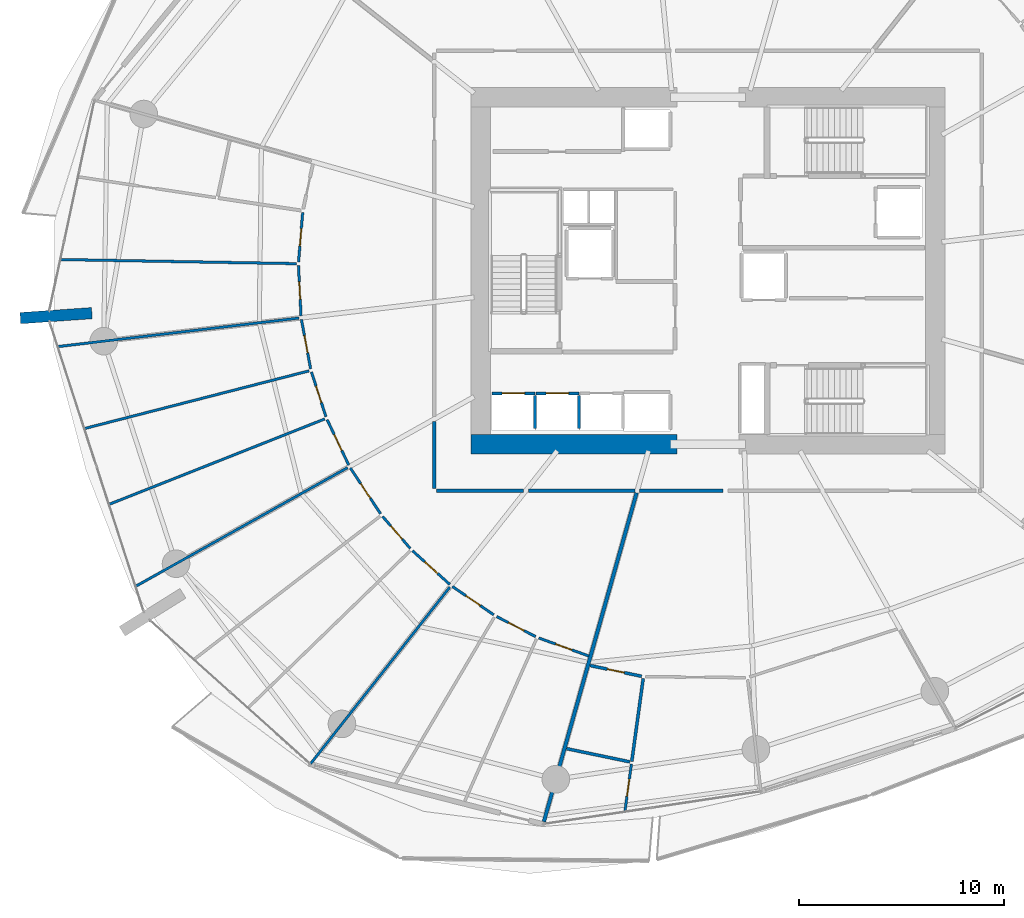
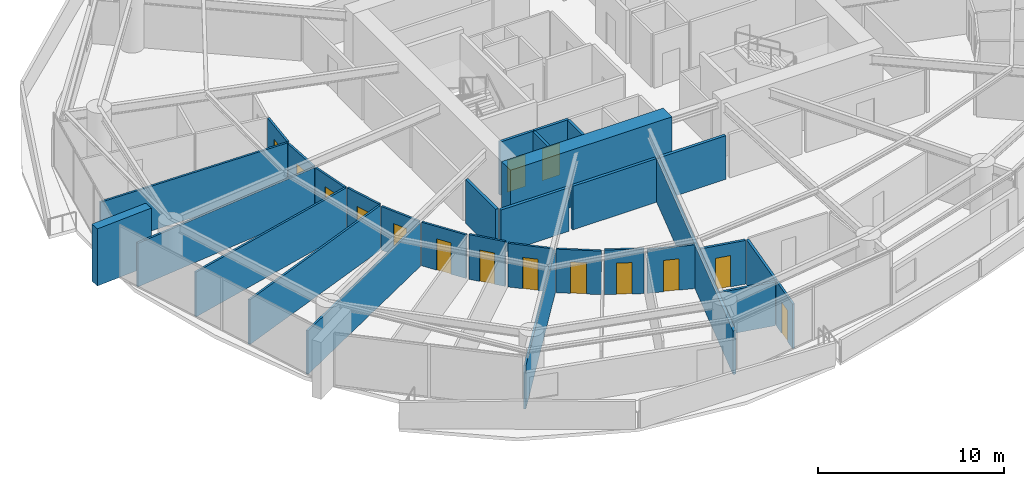
# One storey, part 18 of 30: 32 walls, 15 doors, 15 openings.
"""IFC4 building model written with IfcOpenShell, lengths in metres."""

import ifcopenshell
import ifcopenshell.guid

model = None  # the IFC model being written
_history = None  # IfcOwnerHistory: only IFC2X3 demands one
_inside = {}  # id of a spatial element -> (the spatial element, [elements in it])
_under = {}  # id of a project, library or spatial element -> (it, [spatial elements below it])
_declared = {}  # id of a project -> (the project, [libraries it declares])
_typed = {}  # id of a type object -> (the type object, [elements of that type])
_made_of = {}  # id of a material, layer set ... -> (it, [elements and type objects made of it])


def new_model(schema):
    """Start an empty IFC model of exactly this schema.

    Asked for "IFC4X3", IfcOpenShell would pick the latest addendum, in which some entities
    have other attributes; the version numbers below select the first issue.
    IFC2X3 requires an IfcOwnerHistory on every rooted entity: one is made here for all.
    """
    global model, _history
    if schema == "IFC4X3":
        model = ifcopenshell.file(schema_version=(4, 3, 0, 0))
    else:
        model = ifcopenshell.file(schema=schema)
    _inside.clear()
    _under.clear()
    _declared.clear()
    _typed.clear()
    _made_of.clear()
    _history = None
    if model.schema == "IFC2X3":
        org = make("IfcOrganization", Name="unknown")
        user = make(
            "IfcPersonAndOrganization",
            ThePerson=make("IfcPerson", FamilyName="unknown"),
            TheOrganization=org,
        )
        app = make(
            "IfcApplication",
            ApplicationDeveloper=org,
            Version="unknown",
            ApplicationFullName="unknown",
            ApplicationIdentifier="unknown",
        )
        _history = make(
            "IfcOwnerHistory",
            OwningUser=user,
            OwningApplication=app,
            ChangeAction="ADDED",
            CreationDate=0,
        )
    return model


def make(cls, **values):
    """One entity of the class cls with the attributes given. An attribute that is None is left unset."""
    return model.create_entity(
        cls, **{name: value for name, value in values.items() if value is not None}
    )


def rooted(cls, **values):
    """An entity with a GlobalId (a new one), such as an element, a storey or a relation."""
    return make(cls, GlobalId=ifcopenshell.guid.new(), OwnerHistory=_history, **values)


def si_unit(unit_type, name, prefix=None):
    """IfcSIUnit, for example si_unit("LENGTHUNIT", "METRE", prefix="MILLI")."""
    return make("IfcSIUnit", UnitType=unit_type, Prefix=prefix, Name=name)


def assignment(units):
    """IfcUnitAssignment: the units of a project."""
    return None if units is None else make("IfcUnitAssignment", Units=units)


def point(xyz):
    """IfcCartesianPoint."""
    return None if xyz is None else make("IfcCartesianPoint", Coordinates=xyz)


def direction(xyz):
    """IfcDirection."""
    return None if xyz is None else make("IfcDirection", DirectionRatios=xyz)


def frame(location, z_axis=None, x_axis=None):
    """IfcAxis2Placement3D, a coordinate frame: its origin and axes. An axis left out is left unset."""
    return make(
        "IfcAxis2Placement3D",
        Location=point(location),
        Axis=direction(z_axis),
        RefDirection=direction(x_axis),
    )


def frame_2d(location, x_axis=None):
    """IfcAxis2Placement2D, a coordinate frame in the plane: its origin and x axis."""
    return make(
        "IfcAxis2Placement2D", Location=point(location), RefDirection=direction(x_axis)
    )


def origin():
    """The frame at (0, 0, 0) with its axes left unset."""
    return frame((0.0, 0.0, 0.0))


def place(relative_to, where):
    """IfcLocalPlacement: puts the frame where relative to a parent placement (None: the world)."""
    return make(
        "IfcLocalPlacement", PlacementRelTo=relative_to, RelativePlacement=where
    )


def context(
    kind, dimensions, precision=None, world=None, true_north=None, identifier=None
):
    """IfcGeometricRepresentationContext, for example the 3D "Model" context."""
    return make(
        "IfcGeometricRepresentationContext",
        ContextIdentifier=identifier,
        ContextType=kind,
        CoordinateSpaceDimension=dimensions,
        Precision=precision,
        WorldCoordinateSystem=world,
        TrueNorth=true_north,
    )


def subcontext(parent, identifier, kind, view, scale=None):
    """IfcGeometricRepresentationSubContext, for example "Body" below "Model"."""
    return make(
        "IfcGeometricRepresentationSubContext",
        ContextIdentifier=identifier,
        ContextType=kind,
        ParentContext=parent,
        TargetScale=scale,
        TargetView=view,
    )


def project(units=None, contexts=None):
    """IfcProject with its units and contexts."""
    return rooted(
        "IfcProject",
        Name="project",
        RepresentationContexts=contexts,
        UnitsInContext=assignment(units),
    )


def spatial(cls, under=None, at=None, **own):
    """A site, building, storey or space (cls), placed at a placement, below another one or the project."""
    s = rooted(cls, ObjectPlacement=at, **own)
    if under is not None:
        _under.setdefault(under.id(), (under, []))[1].append(s)
    return s


def profile(cls, at=None, kind="AREA", **sizes):
    """A parametric profile (cls). Its sizes go by their IFC names, for example OverallWidth=200.0."""
    return make(cls, ProfileType=kind, Position=at, **sizes)


def rectangle(**sizes):
    """IfcRectangleProfileDef."""
    return profile("IfcRectangleProfileDef", **sizes)


def extrude(swept, where, along, depth):
    """IfcExtrudedAreaSolid: the profile swept, set in the frame where, extruded along a direction by depth."""
    return make(
        "IfcExtrudedAreaSolid",
        SweptArea=swept,
        Position=where,
        ExtrudedDirection=direction(along),
        Depth=depth,
    )


def shape(context_of_items, identifier, shape_type, items):
    """IfcShapeRepresentation: the items that make up one representation, for example the "Body"."""
    return make(
        "IfcShapeRepresentation",
        ContextOfItems=context_of_items,
        RepresentationIdentifier=identifier,
        RepresentationType=shape_type,
        Items=items,
    )


def material(Name=None, Category=None):
    """IfcMaterial."""
    return make("IfcMaterial", Name=Name, Category=Category)


def layer(
    of_material, thickness, ventilated=None, Name=None, Category=None, Priority=None
):
    """IfcMaterialLayer: one layer of a wall or slab, of a material (None: an air gap)."""
    return make(
        "IfcMaterialLayer",
        Material=of_material,
        LayerThickness=thickness,
        IsVentilated=ventilated,
        Name=Name,
        Category=Category,
        Priority=Priority,
    )


def layer_set(layers, Name=None):
    """IfcMaterialLayerSet."""
    return make("IfcMaterialLayerSet", MaterialLayers=layers, LayerSetName=Name)


def made_of(thing, what):
    """Note that an element or type object is made of a material, layer set ...; save() writes the relation."""
    if what is not None:
        _made_of.setdefault(what.id(), (what, []))[1].append(thing)
    return thing


def type_object(cls, material=None, **own):
    """A type object (cls), such as IfcWallType, which elements share."""
    return made_of(rooted(cls, **own), material)


def element(
    cls,
    number,
    at=None,
    inside=None,
    cuts=None,
    type_object=None,
    material=None,
    context=None,
    identifier="Body",
    shape_type=None,
    held_by="IfcProductDefinitionShape",
    body=None,
    shapes=None,
    **own,
):
    """One element of the class cls, such as IfcWall. Its Tag is "e" and its number.

    at: its placement. inside: the storey or other place that contains it. cuts: it is an
    opening in that element (IfcRelVoidsElement). A single representation is given by context,
    identifier, shape_type and body (its items); several are given by shapes. held_by: the class
    of the entity that holds the representations. save() writes the other relations.
    """
    e = rooted(cls, Tag="e%d" % number, ObjectPlacement=at, **own)
    if body is not None:
        shapes = [shape(context, identifier, shape_type, body)]
    if shapes is not None:
        e.Representation = make(held_by, Representations=shapes)
    if inside is not None:
        _inside.setdefault(inside.id(), (inside, []))[1].append(e)
    if cuts is not None:
        rooted(
            "IfcRelVoidsElement", RelatingBuildingElement=cuts, RelatedOpeningElement=e
        )
    if type_object is not None:
        _typed.setdefault(type_object.id(), (type_object, []))[1].append(e)
    return made_of(e, material)


def fill(opening, filler):
    """IfcRelFillsElement: the door or window that sits in an opening."""
    return rooted(
        "IfcRelFillsElement",
        RelatingOpeningElement=opening,
        RelatedBuildingElement=filler,
    )


def aggregate(whole, parts):
    """IfcRelAggregates: a whole, such as a stair, and the parts it consists of."""
    return rooted("IfcRelAggregates", RelatingObject=whole, RelatedObjects=parts)


def save(model, path):
    """Write the relations noted so far, then the file.

    IfcRelAggregates (storeys below a building ...), IfcRelContainedInSpatialStructure (elements
    in a storey), IfcRelDefinesByType, IfcRelAssociatesMaterial and IfcRelDeclares: one each for
    every whole, place, type object, material and project.
    """
    for whole, parts in _under.values():
        aggregate(whole, parts)
    for where, things in _inside.values():
        rooted(
            "IfcRelContainedInSpatialStructure",
            RelatedElements=things,
            RelatingStructure=where,
        )
    for kind, things in _typed.values():
        rooted("IfcRelDefinesByType", RelatedObjects=things, RelatingType=kind)
    for what, things in _made_of.values():
        rooted("IfcRelAssociatesMaterial", RelatedObjects=things, RelatingMaterial=what)
    for by, libraries in _declared.values():
        rooted("IfcRelDeclares", RelatingContext=by, RelatedDefinitions=libraries)
    model.write(path)


model = new_model("IFC4")

# Units and contexts
model_context = context("Model", 3, precision=1e-05, world=origin(), true_north=direction((0.0, 1.0)))
body_context = subcontext(model_context, "Body", "Model", "MODEL_VIEW")
ifc_project = project(units=[si_unit("LENGTHUNIT", "METRE"), si_unit("AREAUNIT", "SQUARE_METRE"), si_unit("VOLUMEUNIT", "CUBIC_METRE"), si_unit("PLANEANGLEUNIT", "RADIAN"), si_unit("MASSUNIT", "GRAM", prefix="KILO")], contexts=[model_context])

# Site, building, storey
site_placement = place(None, origin())
site = spatial("IfcSite", under=ifc_project, at=site_placement, CompositionType="ELEMENT")
building_placement = place(site_placement, origin())
building = spatial("IfcBuilding", under=site, at=building_placement, Name="Kazma Halo Residences", CompositionType="ELEMENT")
storey_placement = place(building_placement, frame((0.0, 0.0, 56.39990234375)))
storey = spatial("IfcBuildingStorey", under=building, at=storey_placement, Name="L13", CompositionType="ELEMENT", Elevation=56.39990234375)

# Walls
ifc_material_1 = material(Name="Pale Concrete C60/75", Category="concrete")
ifc_layer_1 = layer(ifc_material_1, 0.550048828125)
ifc_layer_set_1 = layer_set([ifc_layer_1], Name="Pale Concrete C60/75")
wall_type_1 = type_object("IfcWallType", Name="WL-BLADE-550", PredefinedType="SOLIDWALL", material=ifc_layer_set_1)
wall_1_placement = place(storey_placement, frame((18.322021484375, 39.9248046875, 0.0), z_axis=(0.0, 0.0, 1.0), x_axis=(-0.997564163539, -0.069754853754, 0.0)))
element("IfcWall", 1, at=wall_1_placement, inside=storey, type_object=wall_type_1, Name="L13 pale concrete structural blade fin wall BW-02", PredefinedType="SOLIDWALL", context=body_context, shape_type="SweptSolid", body=[
    extrude(rectangle(XDim=3.5, YDim=0.550048828125, at=frame_2d((1.75, 0.0))), origin(), (0.0, 0.0, 1.0), 3.75),
])
ifc_material_2 = material(Name="Concrete C80/95", Category="concrete")
ifc_layer_2 = layer(ifc_material_2, 0.949951171875)
ifc_layer_set_2 = layer_set([ifc_layer_2], Name="Concrete C80/95")
wall_type_2 = type_object("IfcWallType", Name="WL-CORE-950", PredefinedType="SHEAR", material=ifc_layer_set_2)
wall_2_placement = place(storey_placement, frame((36.85009765625, 33.52490234375, 0.0), z_axis=(0.0, 0.0, 1.0), x_axis=(1.0, 0.0, 0.0)))
element("IfcWall", 2, at=wall_2_placement, inside=storey, type_object=wall_type_2, Name="L13 central core shear wall SW", PredefinedType="SHEAR", context=body_context, shape_type="SweptSolid", body=[
    extrude(rectangle(XDim=10.0498046875, YDim=0.949951171875, at=frame_2d((5.02490234375, 0.0))), origin(), (0.0, 0.0, 1.0), 3.75),
])
ifc_material_3 = material(Name="Acoustic Twin-Stud Gypsum")
ifc_layer_3 = layer(ifc_material_3, 0.179931640625)
ifc_layer_set_3 = layer_set([ifc_layer_3], Name="Acoustic Twin-Stud Gypsum")
wall_type_3 = type_object("IfcWallType", Name="WL-DEM-180", PredefinedType="PARTITIONING", material=ifc_layer_set_3)
wall_3_placement = place(storey_placement, frame((44.938232421875, 31.14404296875, 0.0), z_axis=(0.0, 0.0, 1.0), x_axis=(-0.27143758514, -0.962456044385, 0.0)))
element("IfcWall", 3, at=wall_3_placement, inside=storey, type_object=wall_type_3, Name="L13 apartment demising radial wall 10", PredefinedType="PARTITIONING", context=body_context, shape_type="SweptSolid", body=[
    extrude(rectangle(XDim=16.692626953125, YDim=0.179931640625, at=frame_2d((8.34619140625, 0.0))), origin(), (0.0, 0.0, 1.0), 2.8671875),
])
wall_4_placement = place(storey_placement, frame((35.050048828125, 34.627685546875, 0.0), z_axis=(0.0, 0.0, 1.0), x_axis=(0.0, -1.0, 0.0)))
element("IfcWall", 4, at=wall_4_placement, inside=storey, type_object=wall_type_3, Name="L13 Apartment 2 inner wall 8", PredefinedType="PARTITIONING", context=body_context, shape_type="SweptSolid", body=[
    extrude(rectangle(XDim=3.257568359375, YDim=0.179931640625, at=frame_2d((1.62890625, 0.0))), origin(), (0.0, 0.0, 1.0), 2.8671875),
])
wall_5_placement = place(storey_placement, frame((35.169921875, 31.25, 0.0), z_axis=(0.0, 0.0, 1.0), x_axis=(1.0, 0.0, 0.0)))
element("IfcWall", 5, at=wall_5_placement, inside=storey, type_object=wall_type_3, Name="L13 Apartment 2 inner wall 8", PredefinedType="PARTITIONING", context=body_context, shape_type="SweptSolid", body=[
    extrude(rectangle(XDim=4.235595703125, YDim=0.179931640625, at=frame_2d((2.11767578125, 0.0))), origin(), (0.0, 0.0, 1.0), 2.8671875),
])
wall_6_placement = place(storey_placement, frame((39.6455078125, 31.25, 0.0), z_axis=(0.0, 0.0, 1.0), x_axis=(1.0, 0.0, 0.0)))
element("IfcWall", 6, at=wall_6_placement, inside=storey, type_object=wall_type_3, Name="L13 Apartment 2 inner wall 9", PredefinedType="PARTITIONING", context=body_context, shape_type="SweptSolid", body=[
    extrude(rectangle(XDim=5.20263671875, YDim=0.179931640625, at=frame_2d((2.601318359375, 0.0))), origin(), (0.0, 0.0, 1.0), 2.8671875),
])
wall_7_placement = place(storey_placement, frame((45.088134765625, 31.25, 0.0), z_axis=(0.0, 0.0, 1.0), x_axis=(1.0, 0.0, 0.0)))
element("IfcWall", 7, at=wall_7_placement, inside=storey, type_object=wall_type_3, Name="L13 Apartment 3 inner wall 10", PredefinedType="PARTITIONING", context=body_context, shape_type="SweptSolid", body=[
    extrude(rectangle(XDim=4.064208984375, YDim=0.179931640625, at=frame_2d((2.0322265625, 0.0))), origin(), (0.0, 0.0, 1.0), 2.8671875),
])

# Wall, opening, door
ifc_material_4 = material(Name="Fire-Rated Blockwork Masonry", Category="masonry")
ifc_layer_4 = layer(ifc_material_4, 0.199951171875)
ifc_layer_set_4 = layer_set([ifc_layer_4], Name="Fire-Rated Blockwork Masonry")
wall_type_4 = type_object("IfcWallType", Name="WL-FLB-200", PredefinedType="PARTITIONING", material=ifc_layer_set_4)
wall_8_placement = place(storey_placement, frame((37.864990234375, 36.0048828125, 0.0), z_axis=(0.0, 0.0, 1.0), x_axis=(1.0, 0.0, 0.0)))
wall_8 = element("IfcWall", 8, at=wall_8_placement, inside=storey, type_object=wall_type_4, Name="L13 lift shaft PL-01 front wall", PredefinedType="PARTITIONING", context=body_context, shape_type="SweptSolid", body=[
    extrude(rectangle(XDim=2.110107421875, YDim=0.159912109375, at=frame_2d((1.05517578125, 0.0))), origin(), (0.0, 0.0, 1.0), 3.5),
])
opening_1_placement = place(wall_8_placement, frame((0.5048828125, 0.0, 0.0)))
opening_1 = element("IfcOpeningElement", 9, at=opening_1_placement, cuts=wall_8, Name="Opening LD-PL-01", PredefinedType="OPENING", context=body_context, shape_type="SweptSolid", body=[
    extrude(rectangle(XDim=1.10009765625, YDim=2.10009765625, at=frame_2d((0.550048828125, 1.050048828125))), frame((0.0, 0.08984375, 0.0), z_axis=(0.0, -1.0, 0.0), x_axis=(1.0, 0.0, 0.0)), (0.0, 0.0, 1.0), 0.179931640625),
])
ifc_material_5 = material(Name="Stainless Steel Fire-Rated", Category="steel")
door_type_1 = type_object("IfcDoorType", Name="DR-LIFT-SLD-1100", OperationType="DOUBLE_DOOR_SLIDING", PredefinedType="DOOR", material=ifc_material_5)
door_1_placement = place(opening_1_placement, origin())
door_1 = element("IfcDoor", 10, at=door_1_placement, inside=storey, type_object=door_type_1, Name="L13 lift PL-01 sliding landing door", OperationType="DOUBLE_DOOR_SLIDING", OverallHeight=2.10009765625, OverallWidth=1.10009765625, PredefinedType="DOOR", context=body_context, shape_type="SweptSolid", body=[
    extrude(rectangle(XDim=1.10009765625, YDim=2.10009765625, at=frame_2d((0.550048828125, 1.050048828125))), frame((0.0, 0.02490234375, 0.0), z_axis=(0.0, -1.0, 0.0), x_axis=(1.0, 0.0, 0.0)), (0.0, 0.0, 1.0), 0.050048828125),
])
fill(opening_1, door_1)

# Wall
wall_9_placement = place(storey_placement, frame((39.97509765625, 34.294921875, 0.0), z_axis=(0.0, 0.0, 1.0), x_axis=(0.0, 1.0, 0.0)))
element("IfcWall", 11, at=wall_9_placement, inside=storey, type_object=wall_type_4, Name="L13 lift shaft PL-01 side wall E", PredefinedType="PARTITIONING", context=body_context, shape_type="SweptSolid", body=[
    extrude(rectangle(XDim=1.610107421875, YDim=0.159912109375, at=frame_2d((0.80517578125, 0.0))), origin(), (0.0, 0.0, 1.0), 3.5),
])

# Wall, opening, door
wall_10_placement = place(storey_placement, frame((40.014892578125, 36.0048828125, 0.0), z_axis=(0.0, 0.0, 1.0), x_axis=(1.0, 0.0, 0.0)))
wall_10 = element("IfcWall", 12, at=wall_10_placement, inside=storey, type_object=wall_type_4, Name="L13 lift shaft PL-02 front wall", PredefinedType="PARTITIONING", context=body_context, shape_type="SweptSolid", body=[
    extrude(rectangle(XDim=2.110107421875, YDim=0.159912109375, at=frame_2d((1.05517578125, 0.0))), origin(), (0.0, 0.0, 1.0), 3.5),
])
opening_2_placement = place(wall_10_placement, frame((0.5048828125, 0.0, 0.0)))
opening_2 = element("IfcOpeningElement", 13, at=opening_2_placement, cuts=wall_10, Name="Opening LD-PL-02", PredefinedType="OPENING", context=body_context, shape_type="SweptSolid", body=[
    extrude(rectangle(XDim=1.10009765625, YDim=2.10009765625, at=frame_2d((0.550048828125, 1.050048828125))), frame((0.0, 0.08984375, 0.0), z_axis=(0.0, -1.0, 0.0), x_axis=(1.0, 0.0, 0.0)), (0.0, 0.0, 1.0), 0.179931640625),
])
door_2_placement = place(opening_2_placement, origin())
door_2 = element("IfcDoor", 14, at=door_2_placement, inside=storey, type_object=door_type_1, Name="L13 lift PL-02 sliding landing door", OperationType="DOUBLE_DOOR_SLIDING", OverallHeight=2.10009765625, OverallWidth=1.10009765625, PredefinedType="DOOR", context=body_context, shape_type="SweptSolid", body=[
    extrude(rectangle(XDim=1.10009765625, YDim=2.10009765625, at=frame_2d((0.550048828125, 1.050048828125))), frame((0.0, 0.02490234375, 0.0), z_axis=(0.0, -1.0, 0.0), x_axis=(1.0, 0.0, 0.0)), (0.0, 0.0, 1.0), 0.050048828125),
])
fill(opening_2, door_2)

# Walls
wall_11_placement = place(storey_placement, frame((42.125, 34.294921875, 0.0), z_axis=(0.0, 0.0, 1.0), x_axis=(0.0, 1.0, 0.0)))
element("IfcWall", 15, at=wall_11_placement, inside=storey, type_object=wall_type_4, Name="L13 lift shaft PL-02 side wall E", PredefinedType="PARTITIONING", context=body_context, shape_type="SweptSolid", body=[
    extrude(rectangle(XDim=1.610107421875, YDim=0.159912109375, at=frame_2d((0.80517578125, 0.0))), origin(), (0.0, 0.0, 1.0), 3.5),
])
ifc_material_6 = material(Name="Gypsum Plasterboard Partition")
ifc_layer_5 = layer(ifc_material_6, 0.125)
ifc_layer_set_5 = layer_set([ifc_layer_5], Name="Gypsum Plasterboard Partition")
wall_type_5 = type_object("IfcWallType", Name="WL-PART-125", PredefinedType="PARTITIONING", material=ifc_layer_set_5)
wall_12_placement = place(storey_placement, frame((28.322998046875, 42.34326171875, 0.0), z_axis=(0.0, 0.0, 1.0), x_axis=(-0.999848157463, 0.017425900802, 0.0)))
element("IfcWall", 16, at=wall_12_placement, inside=storey, type_object=wall_type_5, Name="L13 Apartment 2 suite divider 6", PredefinedType="PARTITIONING", context=body_context, shape_type="SweptSolid", body=[
    extrude(rectangle(XDim=11.516357421875, YDim=0.125, at=frame_2d((5.75830078125, 0.0))), origin(), (0.0, 0.0, 1.0), 2.940185546875),
])

# Wall, opening, door
wall_13_placement = place(storey_placement, frame((28.62255859375, 44.837890625, 0.0), z_axis=(0.0, 0.0, 1.0), x_axis=(-0.083662019613, -0.996494187878, 0.0)))
wall_13 = element("IfcWall", 17, at=wall_13_placement, inside=storey, type_object=wall_type_5, Name="L13 Apartment 2 Gourmet Kitchen hall wall", PredefinedType="PARTITIONING", context=body_context, shape_type="SweptSolid", body=[
    extrude(rectangle(XDim=2.425048828125, YDim=0.125, at=frame_2d((1.21240234375, 0.0))), origin(), (0.0, 0.0, 1.0), 2.940185546875),
])
opening_3_placement = place(wall_13_placement, frame((0.78759765625, 0.0, 0.0)))
opening_3 = element("IfcOpeningElement", 18, at=opening_3_placement, cuts=wall_13, Name="Opening DB-900", PredefinedType="OPENING", context=body_context, shape_type="SweptSolid", body=[
    extrude(rectangle(XDim=0.85009765625, YDim=2.06005859375, at=frame_2d((0.425048828125, 1.030029296875))), frame((0.0, 0.072509765625, 0.0), z_axis=(0.0, -1.0, 0.0), x_axis=(1.0, 0.0, 0.0)), (0.0, 0.0, 1.0), 0.14501953125),
])
ifc_material_7 = material(Name="Moisture-Sealed Timber Leaf", Category="wood")
door_type_2 = type_object("IfcDoorType", Name="DR-BTH-900", OperationType="NOTDEFINED", PredefinedType="DOOR", material=ifc_material_7)
door_3_placement = place(opening_3_placement, origin())
door_3 = element("IfcDoor", 19, at=door_3_placement, inside=storey, type_object=door_type_2, Name="L13 Apartment 2 Gourmet Kitchen door", OperationType="SINGLE_SWING_RIGHT", OverallHeight=2.06005859375, OverallWidth=0.85009765625, PredefinedType="DOOR", context=body_context, shape_type="SweptSolid", body=[
    extrude(rectangle(XDim=0.85009765625, YDim=2.06005859375, at=frame_2d((0.425048828125, 1.030029296875))), frame((0.0, 0.02490234375, 0.0), z_axis=(0.0, -1.0, 0.0), x_axis=(1.0, 0.0, 0.0)), (0.0, 0.0, 1.0), 0.050048828125),
])
fill(opening_3, door_3)

wall_14_placement = place(storey_placement, frame((28.4169921875, 42.26171875, 0.0), z_axis=(0.0, 0.0, 1.0), x_axis=(0.050164619396, -0.998740962893, 0.0)))
wall_14 = element("IfcWall", 20, at=wall_14_placement, inside=storey, type_object=wall_type_5, Name="L13 Apartment 2 Master Bedroom hall wall", PredefinedType="PARTITIONING", context=body_context, shape_type="SweptSolid", body=[
    extrude(rectangle(XDim=2.467529296875, YDim=0.125, at=frame_2d((1.23388671875, 0.0))), origin(), (0.0, 0.0, 1.0), 2.8671875),
])
opening_4_placement = place(wall_14_placement, frame((0.808837890625, 0.0, 0.0)))
opening_4 = element("IfcOpeningElement", 21, at=opening_4_placement, cuts=wall_14, Name="Opening DB-900", PredefinedType="OPENING", context=body_context, shape_type="SweptSolid", body=[
    extrude(rectangle(XDim=0.85009765625, YDim=2.06005859375, at=frame_2d((0.425048828125, 1.030029296875))), frame((0.0, 0.072509765625, 0.0), z_axis=(0.0, -1.0, 0.0), x_axis=(1.0, 0.0, 0.0)), (0.0, 0.0, 1.0), 0.14501953125),
])
door_4_placement = place(opening_4_placement, origin())
door_4 = element("IfcDoor", 22, at=door_4_placement, inside=storey, type_object=door_type_2, Name="L13 Apartment 2 Master Bedroom door", OperationType="SINGLE_SWING_LEFT", OverallHeight=2.06005859375, OverallWidth=0.85009765625, PredefinedType="DOOR", context=body_context, shape_type="SweptSolid", body=[
    extrude(rectangle(XDim=0.85009765625, YDim=2.06005859375, at=frame_2d((0.425048828125, 1.030029296875))), frame((0.0, 0.02490234375, 0.0), z_axis=(0.0, -1.0, 0.0), x_axis=(1.0, 0.0, 0.0)), (0.0, 0.0, 1.0), 0.050048828125),
])
fill(opening_4, door_4)

# Walls
wall_15_placement = place(storey_placement, frame((28.446533203125, 39.685546875, 0.0), z_axis=(0.0, 0.0, 1.0), x_axis=(-0.993069352834, -0.117529827964, 0.0)))
element("IfcWall", 23, at=wall_15_placement, inside=storey, type_object=wall_type_5, Name="L13 Apartment 2 radial partition 7", PredefinedType="PARTITIONING", context=body_context, shape_type="SweptSolid", body=[
    extrude(rectangle(XDim=11.8486328125, YDim=0.125, at=frame_2d((5.92431640625, 0.0))), origin(), (0.0, 0.0, 1.0), 2.8671875),
])
for number, where, z_axis, x_axis, name in (
    (24, (28.938232421875, 37.105712890625, 0.0), (0.0, 0.0, 1.0), (-0.968583138893, -0.248689973767, 0.0), "L13 Apartment 2 bay wall 1 7"),
    (25, (29.701904296875, 34.75537109375, 0.0), (0.0, 0.0, 1.0), (-0.929773223041, -0.368132793591, 0.0), "L13 Apartment 2 bay wall 2 7"),
):
    element("IfcWall", number, at=place(storey_placement, frame(where, z_axis=z_axis, x_axis=x_axis)), inside=storey, type_object=wall_type_5, Name=name, PredefinedType="PARTITIONING", context=body_context, shape_type="SweptSolid", body=[
        extrude(rectangle(XDim=11.313232421875, YDim=0.125, at=frame_2d((5.65673828125, 0.0))), origin(), (0.0, 0.0, 1.0), 2.940185546875),
    ])

# Wall, opening, door
wall_16_placement = place(storey_placement, frame((28.560546875, 39.618896484375, 0.0), z_axis=(0.0, 0.0, 1.0), x_axis=(0.183471474028, -0.98302503438, 0.0)))
wall_16 = element("IfcWall", 26, at=wall_16_placement, inside=storey, type_object=wall_type_5, Name="L13 Apartment 2 Primary Master Bedroom hall wall", PredefinedType="PARTITIONING", context=body_context, shape_type="SweptSolid", body=[
    extrude(rectangle(XDim=2.453857421875, YDim=0.125, at=frame_2d((1.22705078125, 0.0))), origin(), (0.0, 0.0, 1.0), 2.8671875),
])
opening_5_placement = place(wall_16_placement, frame((0.8017578125, 0.0, 0.0)))
opening_5 = element("IfcOpeningElement", 27, at=opening_5_placement, cuts=wall_16, Name="Opening DB-900", PredefinedType="OPENING", context=body_context, shape_type="SweptSolid", body=[
    extrude(rectangle(XDim=0.85009765625, YDim=2.06005859375, at=frame_2d((0.425048828125, 1.030029296875))), frame((0.0, 0.072509765625, 0.0), z_axis=(0.0, -1.0, 0.0), x_axis=(1.0, 0.0, 0.0)), (0.0, 0.0, 1.0), 0.14501953125),
])
door_5_placement = place(opening_5_placement, origin())
door_5 = element("IfcDoor", 28, at=door_5_placement, inside=storey, type_object=door_type_2, Name="L13 Apartment 2 Primary Master Bedroom door", OperationType="SINGLE_SWING_RIGHT", OverallHeight=2.06005859375, OverallWidth=0.85009765625, PredefinedType="DOOR", context=body_context, shape_type="SweptSolid", body=[
    extrude(rectangle(XDim=0.85009765625, YDim=2.06005859375, at=frame_2d((0.425048828125, 1.030029296875))), frame((0.0, 0.02490234375, 0.0), z_axis=(0.0, -1.0, 0.0), x_axis=(1.0, 0.0, 0.0)), (0.0, 0.0, 1.0), 0.050048828125),
])
fill(opening_5, door_5)

wall_17_placement = place(storey_placement, frame((29.05029296875, 37.052001953125, 0.0), z_axis=(0.0, 0.0, 1.0), x_axis=(0.308990065628, -0.951065265554, 0.0)))
wall_17 = element("IfcWall", 29, at=wall_17_placement, inside=storey, type_object=wall_type_5, Name="L13 Apartment 2 Secondary Dressing Wardrobe hall wall", PredefinedType="PARTITIONING", context=body_context, shape_type="SweptSolid", body=[
    extrude(rectangle(XDim=2.300048828125, YDim=0.125, at=frame_2d((1.14990234375, 0.0))), origin(), (0.0, 0.0, 1.0), 2.940185546875),
])
opening_6_placement = place(wall_17_placement, frame((0.72509765625, 0.0, 0.0)))
opening_6 = element("IfcOpeningElement", 30, at=opening_6_placement, cuts=wall_17, Name="Opening DB-900", PredefinedType="OPENING", context=body_context, shape_type="SweptSolid", body=[
    extrude(rectangle(XDim=0.85009765625, YDim=2.06005859375, at=frame_2d((0.425048828125, 1.030029296875))), frame((0.0, 0.072509765625, 0.0), z_axis=(0.0, -1.0, 0.0), x_axis=(1.0, 0.0, 0.0)), (0.0, 0.0, 1.0), 0.14501953125),
])
door_6_placement = place(opening_6_placement, origin())
door_6 = element("IfcDoor", 31, at=door_6_placement, inside=storey, type_object=door_type_2, Name="L13 Apartment 2 Secondary Dressing Wardrobe door", OperationType="SINGLE_SWING_LEFT", OverallHeight=2.06005859375, OverallWidth=0.85009765625, PredefinedType="DOOR", context=body_context, shape_type="SweptSolid", body=[
    extrude(rectangle(XDim=0.85009765625, YDim=2.06005859375, at=frame_2d((0.425048828125, 1.030029296875))), frame((0.0, 0.02490234375, 0.0), z_axis=(0.0, -1.0, 0.0), x_axis=(1.0, 0.0, 0.0)), (0.0, 0.0, 1.0), 0.050048828125),
])
fill(opening_6, door_6)

wall_18_placement = place(storey_placement, frame((29.820068359375, 34.716064453125, 0.0), z_axis=(0.0, 0.0, 1.0), x_axis=(0.429373424985, -0.903127046388, 0.0)))
wall_18 = element("IfcWall", 32, at=wall_18_placement, inside=storey, type_object=wall_type_5, Name="L13 Apartment 2 East Master Bedroom hall wall", PredefinedType="PARTITIONING", context=body_context, shape_type="SweptSolid", body=[
    extrude(rectangle(XDim=2.45361328125, YDim=0.125, at=frame_2d((1.226806640625, 0.0))), origin(), (0.0, 0.0, 1.0), 2.8671875),
])
opening_7_placement = place(wall_18_placement, frame((0.8017578125, 0.0, 0.0)))
opening_7 = element("IfcOpeningElement", 33, at=opening_7_placement, cuts=wall_18, Name="Opening DB-900", PredefinedType="OPENING", context=body_context, shape_type="SweptSolid", body=[
    extrude(rectangle(XDim=0.85009765625, YDim=2.06005859375, at=frame_2d((0.425048828125, 1.030029296875))), frame((0.0, 0.072509765625, 0.0), z_axis=(0.0, -1.0, 0.0), x_axis=(1.0, 0.0, 0.0)), (0.0, 0.0, 1.0), 0.14501953125),
])
door_7_placement = place(opening_7_placement, origin())
door_7 = element("IfcDoor", 34, at=door_7_placement, inside=storey, type_object=door_type_2, Name="L13 Apartment 2 East Master Bedroom door", OperationType="SINGLE_SWING_RIGHT", OverallHeight=2.06005859375, OverallWidth=0.85009765625, PredefinedType="DOOR", context=body_context, shape_type="SweptSolid", body=[
    extrude(rectangle(XDim=0.85009765625, YDim=2.06005859375, at=frame_2d((0.425048828125, 1.030029296875))), frame((0.0, 0.02490234375, 0.0), z_axis=(0.0, -1.0, 0.0), x_axis=(1.0, 0.0, 0.0)), (0.0, 0.0, 1.0), 0.050048828125),
])
fill(opening_7, door_7)

# Wall
wall_19_placement = place(storey_placement, frame((30.820556640625, 32.37890625, 0.0), z_axis=(0.0, 0.0, 1.0), x_axis=(-0.872502853637, -0.488609015877, 0.0)))
element("IfcWall", 35, at=wall_19_placement, inside=storey, type_object=wall_type_5, Name="L13 Apartment 2 radial partition 8", PredefinedType="PARTITIONING", context=body_context, shape_type="SweptSolid", body=[
    extrude(rectangle(XDim=11.8486328125, YDim=0.125, at=frame_2d((5.92431640625, 0.0))), origin(), (0.0, 0.0, 1.0), 2.8671875),
])

# Wall, opening, door
wall_20_placement = place(storey_placement, frame((30.951904296875, 32.361083984375, 0.0), z_axis=(0.0, 0.0, 1.0), x_axis=(0.550641951823, -0.834741541372, 0.0)))
wall_20 = element("IfcWall", 36, at=wall_20_placement, inside=storey, type_object=wall_type_5, Name="L13 Apartment 2 West Master Bedroom hall wall", PredefinedType="PARTITIONING", context=body_context, shape_type="SweptSolid", body=[
    extrude(rectangle(XDim=2.683837890625, YDim=0.125, at=frame_2d((1.341796875, 0.0))), origin(), (0.0, 0.0, 1.0), 2.8671875),
])
opening_8_placement = place(wall_20_placement, frame((0.9169921875, 0.0, 0.0)))
opening_8 = element("IfcOpeningElement", 37, at=opening_8_placement, cuts=wall_20, Name="Opening DB-900", PredefinedType="OPENING", context=body_context, shape_type="SweptSolid", body=[
    extrude(rectangle(XDim=0.85009765625, YDim=2.06005859375, at=frame_2d((0.425048828125, 1.030029296875))), frame((0.0, 0.072509765625, 0.0), z_axis=(0.0, -1.0, 0.0), x_axis=(1.0, 0.0, 0.0)), (0.0, 0.0, 1.0), 0.14501953125),
])
door_8_placement = place(opening_8_placement, origin())
door_8 = element("IfcDoor", 38, at=door_8_placement, inside=storey, type_object=door_type_2, Name="L13 Apartment 2 West Master Bedroom door", OperationType="SINGLE_SWING_LEFT", OverallHeight=2.06005859375, OverallWidth=0.85009765625, PredefinedType="DOOR", context=body_context, shape_type="SweptSolid", body=[
    extrude(rectangle(XDim=0.85009765625, YDim=2.06005859375, at=frame_2d((0.425048828125, 1.030029296875))), frame((0.0, 0.02490234375, 0.0), z_axis=(0.0, -1.0, 0.0), x_axis=(1.0, 0.0, 0.0)), (0.0, 0.0, 1.0), 0.050048828125),
])
fill(opening_8, door_8)

wall_21_placement = place(storey_placement, frame((32.526123046875, 29.993408203125, 0.0), z_axis=(0.0, 0.0, 1.0), x_axis=(0.653933053639, -0.756552418117, 0.0)))
wall_21 = element("IfcWall", 39, at=wall_21_placement, inside=storey, type_object=wall_type_5, Name="L13 Apartment 2 North Study hall wall", PredefinedType="PARTITIONING", context=body_context, shape_type="SweptSolid", body=[
    extrude(rectangle(XDim=2.06982421875, YDim=0.125, at=frame_2d((1.034912109375, 0.0))), origin(), (0.0, 0.0, 1.0), 2.940185546875),
])
opening_9_placement = place(wall_21_placement, frame((0.60986328125, 0.0, 0.0)))
opening_9 = element("IfcOpeningElement", 40, at=opening_9_placement, cuts=wall_21, Name="Opening DB-900", PredefinedType="OPENING", context=body_context, shape_type="SweptSolid", body=[
    extrude(rectangle(XDim=0.85009765625, YDim=2.06005859375, at=frame_2d((0.425048828125, 1.030029296875))), frame((0.0, 0.072509765625, 0.0), z_axis=(0.0, -1.0, 0.0), x_axis=(1.0, 0.0, 0.0)), (0.0, 0.0, 1.0), 0.14501953125),
])
door_9_placement = place(opening_9_placement, origin())
door_9 = element("IfcDoor", 41, at=door_9_placement, inside=storey, type_object=door_type_2, Name="L13 Apartment 2 North Study door", OperationType="SINGLE_SWING_RIGHT", OverallHeight=2.06005859375, OverallWidth=0.85009765625, PredefinedType="DOOR", context=body_context, shape_type="SweptSolid", body=[
    extrude(rectangle(XDim=0.85009765625, YDim=2.06005859375, at=frame_2d((0.425048828125, 1.030029296875))), frame((0.0, 0.02490234375, 0.0), z_axis=(0.0, -1.0, 0.0), x_axis=(1.0, 0.0, 0.0)), (0.0, 0.0, 1.0), 0.050048828125),
])
fill(opening_9, door_9)

wall_22_placement = place(storey_placement, frame((33.9912109375, 28.3134765625, 0.0), z_axis=(0.0, 0.0, 1.0), x_axis=(0.742254293896, -0.670118320293, 0.0)))
wall_22 = element("IfcWall", 42, at=wall_22_placement, inside=storey, type_object=wall_type_5, Name="L13 Apartment 2 South Master Bedroom hall wall", PredefinedType="PARTITIONING", context=body_context, shape_type="SweptSolid", body=[
    extrude(rectangle(XDim=2.45361328125, YDim=0.125, at=frame_2d((1.226806640625, 0.0))), origin(), (0.0, 0.0, 1.0), 2.8671875),
])
opening_10_placement = place(wall_22_placement, frame((0.8017578125, 0.0, 0.0)))
opening_10 = element("IfcOpeningElement", 43, at=opening_10_placement, cuts=wall_22, Name="Opening DB-900", PredefinedType="OPENING", context=body_context, shape_type="SweptSolid", body=[
    extrude(rectangle(XDim=0.85009765625, YDim=2.06005859375, at=frame_2d((0.425048828125, 1.030029296875))), frame((0.0, 0.072509765625, 0.0), z_axis=(0.0, -1.0, 0.0), x_axis=(1.0, 0.0, 0.0)), (0.0, 0.0, 1.0), 0.14501953125),
])
door_10_placement = place(opening_10_placement, origin())
door_10 = element("IfcDoor", 44, at=door_10_placement, inside=storey, type_object=door_type_2, Name="L13 Apartment 2 South Master Bedroom door", OperationType="SINGLE_SWING_LEFT", OverallHeight=2.06005859375, OverallWidth=0.85009765625, PredefinedType="DOOR", context=body_context, shape_type="SweptSolid", body=[
    extrude(rectangle(XDim=0.85009765625, YDim=2.06005859375, at=frame_2d((0.425048828125, 1.030029296875))), frame((0.0, 0.02490234375, 0.0), z_axis=(0.0, -1.0, 0.0), x_axis=(1.0, 0.0, 0.0)), (0.0, 0.0, 1.0), 0.050048828125),
])
fill(opening_10, door_10)

# Wall
wall_23_placement = place(storey_placement, frame((35.81005859375, 26.537109375, 0.0), z_axis=(0.0, 0.0, 1.0), x_axis=(-0.619089957105, -0.785320078064, 0.0)))
element("IfcWall", 45, at=wall_23_placement, inside=storey, type_object=wall_type_5, Name="L13 Apartment 2 radial partition 9", PredefinedType="PARTITIONING", context=body_context, shape_type="SweptSolid", body=[
    extrude(rectangle(XDim=10.984375, YDim=0.125, at=frame_2d((5.4921875, 0.0))), origin(), (0.0, 0.0, 1.0), 2.8671875),
])

# Wall, opening, door
wall_24_placement = place(storey_placement, frame((35.93798828125, 26.5703125, 0.0), z_axis=(0.0, 0.0, 1.0), x_axis=(0.824894565629, -0.565286613672, 0.0)))
wall_24 = element("IfcWall", 46, at=wall_24_placement, inside=storey, type_object=wall_type_5, Name="L13 Apartment 2 Inner Bedroom hall wall", PredefinedType="PARTITIONING", context=body_context, shape_type="SweptSolid", body=[
    extrude(rectangle(XDim=2.45361328125, YDim=0.125, at=frame_2d((1.226806640625, 0.0))), origin(), (0.0, 0.0, 1.0), 2.8671875),
])
opening_11_placement = place(wall_24_placement, frame((0.8017578125, 0.0, 0.0)))
opening_11 = element("IfcOpeningElement", 47, at=opening_11_placement, cuts=wall_24, Name="Opening DB-900", PredefinedType="OPENING", context=body_context, shape_type="SweptSolid", body=[
    extrude(rectangle(XDim=0.85009765625, YDim=2.06005859375, at=frame_2d((0.425048828125, 1.030029296875))), frame((0.0, 0.072509765625, 0.0), z_axis=(0.0, -1.0, 0.0), x_axis=(1.0, 0.0, 0.0)), (0.0, 0.0, 1.0), 0.14501953125),
])
door_11_placement = place(opening_11_placement, origin())
door_11 = element("IfcDoor", 48, at=door_11_placement, inside=storey, type_object=door_type_2, Name="L13 Apartment 2 Inner Bedroom door", OperationType="SINGLE_SWING_RIGHT", OverallHeight=2.06005859375, OverallWidth=0.85009765625, PredefinedType="DOOR", context=body_context, shape_type="SweptSolid", body=[
    extrude(rectangle(XDim=0.85009765625, YDim=2.06005859375, at=frame_2d((0.425048828125, 1.030029296875))), frame((0.0, 0.02490234375, 0.0), z_axis=(0.0, -1.0, 0.0), x_axis=(1.0, 0.0, 0.0)), (0.0, 0.0, 1.0), 0.050048828125),
])
fill(opening_11, door_11)

wall_25_placement = place(storey_placement, frame((38.09912109375, 25.1015625, 0.0), z_axis=(0.0, 0.0, 1.0), x_axis=(0.889180724552, -0.457556159487, 0.0)))
wall_25 = element("IfcWall", 49, at=wall_25_placement, inside=storey, type_object=wall_type_5, Name="L13 Apartment 2 Outer Dressing Wardrobe hall wall", PredefinedType="PARTITIONING", context=body_context, shape_type="SweptSolid", body=[
    extrude(rectangle(XDim=2.146484375, YDim=0.125, at=frame_2d((1.0732421875, 0.0))), origin(), (0.0, 0.0, 1.0), 2.940185546875),
])
opening_12_placement = place(wall_25_placement, frame((0.648193359375, 0.0, 0.0)))
opening_12 = element("IfcOpeningElement", 50, at=opening_12_placement, cuts=wall_25, Name="Opening DB-900", PredefinedType="OPENING", context=body_context, shape_type="SweptSolid", body=[
    extrude(rectangle(XDim=0.85009765625, YDim=2.06005859375, at=frame_2d((0.425048828125, 1.030029296875))), frame((0.0, 0.072509765625, 0.0), z_axis=(0.0, -1.0, 0.0), x_axis=(1.0, 0.0, 0.0)), (0.0, 0.0, 1.0), 0.14501953125),
])
door_12_placement = place(opening_12_placement, origin())
door_12 = element("IfcDoor", 51, at=door_12_placement, inside=storey, type_object=door_type_2, Name="L13 Apartment 2 Outer Dressing Wardrobe door", OperationType="SINGLE_SWING_LEFT", OverallHeight=2.06005859375, OverallWidth=0.85009765625, PredefinedType="DOOR", context=body_context, shape_type="SweptSolid", body=[
    extrude(rectangle(XDim=0.85009765625, YDim=2.06005859375, at=frame_2d((0.425048828125, 1.030029296875))), frame((0.0, 0.02490234375, 0.0), z_axis=(0.0, -1.0, 0.0), x_axis=(1.0, 0.0, 0.0)), (0.0, 0.0, 1.0), 0.050048828125),
])
fill(opening_12, door_12)

wall_26_placement = place(storey_placement, frame((40.154296875, 24.0556640625, 0.0), z_axis=(0.0, 0.0, 1.0), x_axis=(0.94088502421, -0.338726100584, 0.0)))
wall_26 = element("IfcWall", 52, at=wall_26_placement, inside=storey, type_object=wall_type_5, Name="L13 Apartment 2 Corner Bedroom hall wall", PredefinedType="PARTITIONING", context=body_context, shape_type="SweptSolid", body=[
    extrude(rectangle(XDim=2.60693359375, YDim=0.125, at=frame_2d((1.303466796875, 0.0))), origin(), (0.0, 0.0, 1.0), 2.8671875),
])
opening_13_placement = place(wall_26_placement, frame((0.878662109375, 0.0, 0.0)))
opening_13 = element("IfcOpeningElement", 53, at=opening_13_placement, cuts=wall_26, Name="Opening DB-900", PredefinedType="OPENING", context=body_context, shape_type="SweptSolid", body=[
    extrude(rectangle(XDim=0.85009765625, YDim=2.06005859375, at=frame_2d((0.425048828125, 1.030029296875))), frame((0.0, 0.072509765625, 0.0), z_axis=(0.0, -1.0, 0.0), x_axis=(1.0, 0.0, 0.0)), (0.0, 0.0, 1.0), 0.14501953125),
])
door_13_placement = place(opening_13_placement, origin())
door_13 = element("IfcDoor", 54, at=door_13_placement, inside=storey, type_object=door_type_2, Name="L13 Apartment 2 Corner Bedroom door", OperationType="SINGLE_SWING_RIGHT", OverallHeight=2.06005859375, OverallWidth=0.85009765625, PredefinedType="DOOR", context=body_context, shape_type="SweptSolid", body=[
    extrude(rectangle(XDim=0.85009765625, YDim=2.06005859375, at=frame_2d((0.425048828125, 1.030029296875))), frame((0.0, 0.02490234375, 0.0), z_axis=(0.0, -1.0, 0.0), x_axis=(1.0, 0.0, 0.0)), (0.0, 0.0, 1.0), 0.050048828125),
])
fill(opening_13, door_13)

wall_27_placement = place(storey_placement, frame((44.68505859375, 17.893798828125, 0.0), z_axis=(0.0, 0.0, 1.0), x_axis=(-0.136247867624, -0.990674779414, 0.0)))
wall_27 = element("IfcWall", 55, at=wall_27_placement, inside=storey, type_object=wall_type_5, Name="L13 Apartment 3 Utility Laundry Room partition wall", PredefinedType="PARTITIONING", context=body_context, shape_type="SweptSolid", body=[
    extrude(rectangle(XDim=2.3330078125, YDim=0.125, at=frame_2d((1.16650390625, 0.0))), origin(), (0.0, 0.0, 1.0), 2.940185546875),
])
opening_14_placement = place(wall_27_placement, frame((0.74169921875, 0.0, 0.0)))
opening_14 = element("IfcOpeningElement", 56, at=opening_14_placement, cuts=wall_27, Name="Opening DB-900", PredefinedType="OPENING", context=body_context, shape_type="SweptSolid", body=[
    extrude(rectangle(XDim=0.85009765625, YDim=2.06005859375, at=frame_2d((0.425048828125, 1.030029296875))), frame((0.0, 0.072509765625, 0.0), z_axis=(0.0, -1.0, 0.0), x_axis=(1.0, 0.0, 0.0)), (0.0, 0.0, 1.0), 0.14501953125),
])
door_14_placement = place(opening_14_placement, origin())
door_14 = element("IfcDoor", 57, at=door_14_placement, inside=storey, type_object=door_type_2, Name="L13 Apartment 3 Utility Laundry Room door", OperationType="SINGLE_SWING_LEFT", OverallHeight=2.06005859375, OverallWidth=0.85009765625, PredefinedType="DOOR", context=body_context, shape_type="SweptSolid", body=[
    extrude(rectangle(XDim=0.85009765625, YDim=2.06005859375, at=frame_2d((0.425048828125, 1.030029296875))), frame((0.0, 0.02490234375, 0.0), z_axis=(0.0, -1.0, 0.0), x_axis=(1.0, 0.0, 0.0)), (0.0, 0.0, 1.0), 0.050048828125),
])
fill(opening_14, door_14)

ifc_material_8 = material(Name="Moisture-Resistant Gypsum")
ifc_layer_6 = layer(ifc_material_8, 0.14990234375)
ifc_layer_set_6 = layer_set([ifc_layer_6], Name="Moisture-Resistant Gypsum")
wall_type_6 = type_object("IfcWallType", Name="WL-WET-150", PredefinedType="PARTITIONING", material=ifc_layer_set_6)
wall_28_placement = place(storey_placement, frame((42.662841796875, 22.70849609375, 0.0), z_axis=(0.0, 0.0, 1.0), x_axis=(0.97889437531, -0.204366831913, 0.0)))
wall_28 = element("IfcWall", 58, at=wall_28_placement, inside=storey, type_object=wall_type_6, Name="L13 Apartment 3 Guest Bathroom hall wall", PredefinedType="PARTITIONING", context=body_context, shape_type="SweptSolid", body=[
    extrude(rectangle(XDim=2.57568359375, YDim=0.14990234375, at=frame_2d((1.287841796875, 0.0))), origin(), (0.0, 0.0, 1.0), 2.8671875),
])
opening_15_placement = place(wall_28_placement, frame((0.86279296875, 0.0, 0.0)))
opening_15 = element("IfcOpeningElement", 59, at=opening_15_placement, cuts=wall_28, Name="Opening DB-900", PredefinedType="OPENING", context=body_context, shape_type="SweptSolid", body=[
    extrude(rectangle(XDim=0.85009765625, YDim=2.06005859375, at=frame_2d((0.425048828125, 1.030029296875))), frame((0.0, 0.0849609375, 0.0), z_axis=(0.0, -1.0, 0.0), x_axis=(1.0, 0.0, 0.0)), (0.0, 0.0, 1.0), 0.169921875),
])
door_15_placement = place(opening_15_placement, origin())
door_15 = element("IfcDoor", 60, at=door_15_placement, inside=storey, type_object=door_type_2, Name="L13 Apartment 3 Guest Bathroom door", OperationType="SINGLE_SWING_RIGHT", OverallHeight=2.06005859375, OverallWidth=0.85009765625, PredefinedType="DOOR", context=body_context, shape_type="SweptSolid", body=[
    extrude(rectangle(XDim=0.85009765625, YDim=2.06005859375, at=frame_2d((0.425048828125, 1.030029296875))), frame((0.0, 0.02490234375, 0.0), z_axis=(0.0, -1.0, 0.0), x_axis=(1.0, 0.0, 0.0)), (0.0, 0.0, 1.0), 0.050048828125),
])
fill(opening_15, door_15)

# Walls
wall_29_placement = place(storey_placement, frame((41.517333984375, 18.646728515625, 0.0), z_axis=(0.0, 0.0, 1.0), x_axis=(0.978908333459, -0.204299962518, 0.0)))
element("IfcWall", 61, at=wall_29_placement, inside=storey, type_object=wall_type_6, Name="L13 Apartment 3 Guest Bathroom back wall", PredefinedType="PARTITIONING", context=body_context, shape_type="SweptSolid", body=[
    extrude(rectangle(XDim=3.158447265625, YDim=0.14990234375, at=frame_2d((1.5791015625, 0.0))), origin(), (0.0, 0.0, 1.0), 2.8671875),
])
wall_30_placement = place(storey_placement, frame((45.260009765625, 22.074462890625, 0.0), z_axis=(0.0, 0.0, 1.0), x_axis=(-0.136279855187, -0.990670379627, 0.0)))
element("IfcWall", 62, at=wall_30_placement, inside=storey, type_object=wall_type_6, Name="L13 Apartment 3 Guest Bathroom side wall", PredefinedType="PARTITIONING", context=body_context, shape_type="SweptSolid", body=[
    extrude(rectangle(XDim=4.08984375, YDim=0.14990234375, at=frame_2d((2.044921875, 0.0))), origin(), (0.0, 0.0, 1.0), 2.940185546875),
])

save(model, "model.ifc")
